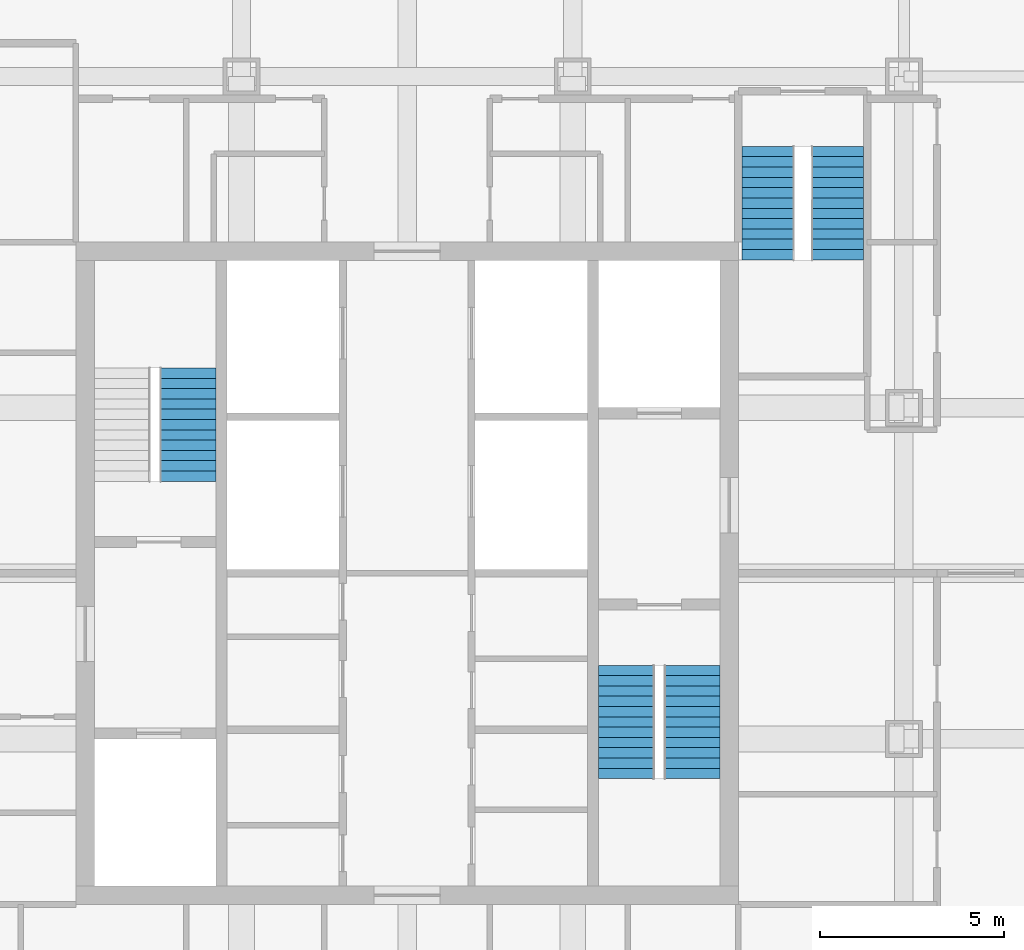
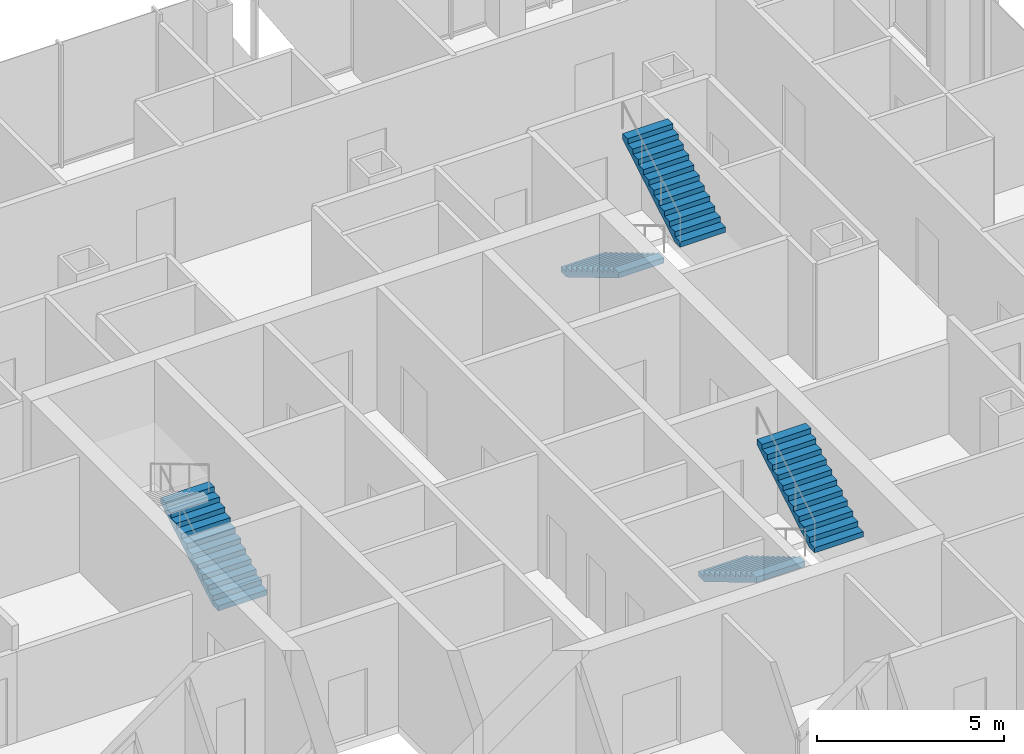
# One storey, part 17 of 20: 5 stair flights, 3 elements without a shape of their own.
"""IFC4 building model written with IfcOpenShell, lengths in metres."""

from ifc_helpers import new_model, si_unit, direction, frame, origin, place, context, subcontext, project, spatial, polyline, outline, extrude, material, type_object, element, aggregate, save


model = new_model("IFC4")

# Units and contexts
model_context = context("Model", 3, precision=1e-05, world=origin(), true_north=direction((0.0, 1.0)))
body_context = subcontext(model_context, "Body", "Model", "MODEL_VIEW")
ifc_project = project(units=[si_unit("LENGTHUNIT", "METRE"), si_unit("AREAUNIT", "SQUARE_METRE"), si_unit("VOLUMEUNIT", "CUBIC_METRE"), si_unit("PLANEANGLEUNIT", "RADIAN"), si_unit("MASSUNIT", "GRAM", prefix="KILO")], contexts=[model_context])

# Site, building, storey
site_placement = place(None, origin())
site = spatial("IfcSite", under=ifc_project, at=site_placement, CompositionType="ELEMENT")
building_placement = place(site_placement, origin())
building = spatial("IfcBuilding", under=site, at=building_placement, Name="Malebo Sky Hospital", CompositionType="ELEMENT")
storey_placement = place(building_placement, frame((0.0, 0.0, 233.0)))
storey = spatial("IfcBuildingStorey", under=building, at=storey_placement, Name="L56", CompositionType="ELEMENT", Elevation=233.0)

# Stair, stair flights
ifc_material = material(Name="Concrete C40/50", Category="concrete")
stair_type_1 = type_object("IfcStairType", Name="HALF-TURN STAIR 1400 R167", PredefinedType="HALF_TURN_STAIR", material=ifc_material)
stair_1_placement = place(storey_placement, origin())
stair_1 = element("IfcStair", 1, at=stair_1_placement, inside=storey, type_object=stair_type_1, Name="Stair S3 L56 type ST1B", PredefinedType="HALF_TURN_STAIR")
stair_flight_type_1 = type_object("IfcStairFlightType", Name="STAIR FLIGHT 1400 R167", PredefinedType="STRAIGHT", material=ifc_material)
stair_flight_1_placement = place(storey_placement, frame((69.800048828125, 73.60009765625, 0.0), z_axis=(0.0, 0.0, 1.0), x_axis=(0.0, -1.0, 0.0)))
stair_flight_1 = element("IfcStairFlight", 2, at=stair_flight_1_placement, type_object=stair_flight_type_1, Name="S3 flight 1 type SF1B", NumberOfRisers=12, NumberOfTreads=11, PredefinedType="STRAIGHT", RiserHeight=0.166666667, TreadLength=0.28, context=body_context, shape_type="SweptSolid", body=[
    extrude(outline(polyline([(0.0, 0.0), (0.0, 0.166748046875), (0.280029296875, 0.166748046875), (0.280029296875, 0.333251953125), (0.56005859375, 0.333251953125), (0.56005859375, 0.5), (0.840087890625, 0.5), (0.840087890625, 0.666748046875), (1.1201171875, 0.666748046875), (1.1201171875, 0.833251953125), (1.39990234375, 0.833251953125), (1.39990234375, 1.0), (1.679931640625, 1.0), (1.679931640625, 1.166748046875), (1.9599609375, 1.166748046875), (1.9599609375, 1.333251953125), (2.239990234375, 1.333251953125), (2.239990234375, 1.5), (2.52001953125, 1.5), (2.52001953125, 1.666748046875), (2.800048828125, 1.666748046875), (2.800048828125, 1.833251953125), (3.080078125, 1.833251953125), (3.080078125, 2.0), (3.080078125, 1.658935546875), (0.29296875, 0.0), (0.0, 0.0)])), frame((0.0, 0.699951171875, 0.0), z_axis=(0.0, -1.0, 0.0), x_axis=(1.0, 0.0, 0.0)), (0.0, 0.0, 1.0), 1.39990234375),
])
stair_flight_2_placement = place(storey_placement, frame((71.699951171875, 70.52001953125, 2.0), z_axis=(0.0, 0.0, 1.0), x_axis=(0.0, 1.0, 0.0)))
stair_flight_2 = element("IfcStairFlight", 3, at=stair_flight_2_placement, type_object=stair_flight_type_1, Name="S3 flight 2 type SF1B", NumberOfRisers=12, NumberOfTreads=11, PredefinedType="STRAIGHT", RiserHeight=0.166666667, TreadLength=0.28, context=body_context, shape_type="SweptSolid", body=[
    extrude(outline(polyline([(0.0, 0.0), (0.0, 0.166748046875), (0.280029296875, 0.166748046875), (0.280029296875, 0.333251953125), (0.56005859375, 0.333251953125), (0.56005859375, 0.5), (0.840087890625, 0.5), (0.840087890625, 0.666748046875), (1.1201171875, 0.666748046875), (1.1201171875, 0.833251953125), (1.39990234375, 0.833251953125), (1.39990234375, 1.0), (1.679931640625, 1.0), (1.679931640625, 1.166748046875), (1.9599609375, 1.166748046875), (1.9599609375, 1.333251953125), (2.239990234375, 1.333251953125), (2.239990234375, 1.5), (2.52001953125, 1.5), (2.52001953125, 1.666748046875), (2.800048828125, 1.666748046875), (2.800048828125, 1.833251953125), (3.080078125, 1.833251953125), (3.080078125, 2.0), (3.080078125, 1.658935546875), (0.29296875, 0.0), (0.0, 0.0)])), frame((0.0, 0.699951171875, 0.0), z_axis=(0.0, -1.0, 0.0), x_axis=(1.0, 0.0, 0.0)), (0.0, 0.0, 1.0), 1.39990234375),
])
aggregate(stair_1, [stair_flight_1, stair_flight_2])

# Stair, stair flight
stair_type_2 = type_object("IfcStairType", Name="HALF-TURN STAIR 1500 R167", PredefinedType="HALF_TURN_STAIR", material=ifc_material)
stair_2_placement = place(storey_placement, origin())
stair_2 = element("IfcStair", 4, at=stair_2_placement, inside=storey, type_object=stair_type_2, Name="Stair S1 L56 type ST1", PredefinedType="HALF_TURN_STAIR")
stair_flight_type_2 = type_object("IfcStairFlightType", Name="STAIR FLIGHT 1500 R167", PredefinedType="STRAIGHT", material=ifc_material)
stair_flight_3_placement = place(storey_placement, frame((54.050048828125, 64.5, 0.0), z_axis=(0.0, 0.0, 1.0), x_axis=(0.0, 1.0, 0.0)))
stair_flight_3 = element("IfcStairFlight", 5, at=stair_flight_3_placement, type_object=stair_flight_type_2, Name="S1 flight 1 type SF1", NumberOfRisers=12, NumberOfTreads=11, PredefinedType="STRAIGHT", RiserHeight=0.166666667, TreadLength=0.28, context=body_context, shape_type="SweptSolid", body=[
    extrude(outline(polyline([(0.0, 0.0), (0.0, 0.166748046875), (0.280029296875, 0.166748046875), (0.280029296875, 0.333251953125), (0.56005859375, 0.333251953125), (0.56005859375, 0.5), (0.840087890625, 0.5), (0.840087890625, 0.666748046875), (1.1201171875, 0.666748046875), (1.1201171875, 0.833251953125), (1.39990234375, 0.833251953125), (1.39990234375, 1.0), (1.679931640625, 1.0), (1.679931640625, 1.166748046875), (1.9599609375, 1.166748046875), (1.9599609375, 1.333251953125), (2.239990234375, 1.333251953125), (2.239990234375, 1.5), (2.52001953125, 1.5), (2.52001953125, 1.666748046875), (2.800048828125, 1.666748046875), (2.800048828125, 1.833251953125), (3.080078125, 1.833251953125), (3.080078125, 2.0), (3.080078125, 1.658935546875), (0.29296875, 0.0), (0.0, 0.0)])), frame((0.0, 0.75, 0.0), z_axis=(0.0, -1.0, 0.0), x_axis=(1.0, 0.0, 0.0)), (0.0, 0.0, 1.0), 1.5),
])
aggregate(stair_2, [stair_flight_3])

# Stair, stair flights
stair_3_placement = place(storey_placement, origin())
stair_3 = element("IfcStair", 6, at=stair_3_placement, inside=storey, type_object=stair_type_2, Name="Stair S2 L56 type ST1", PredefinedType="HALF_TURN_STAIR")
stair_flight_4_placement = place(storey_placement, frame((65.949951171875, 59.5, 0.0), z_axis=(0.0, 0.0, 1.0), x_axis=(0.0, -1.0, 0.0)))
stair_flight_4 = element("IfcStairFlight", 7, at=stair_flight_4_placement, type_object=stair_flight_type_2, Name="S2 flight 1 type SF1", NumberOfRisers=12, NumberOfTreads=11, PredefinedType="STRAIGHT", RiserHeight=0.166666667, TreadLength=0.28, context=body_context, shape_type="SweptSolid", body=[
    extrude(outline(polyline([(0.0, 0.0), (0.0, 0.166748046875), (0.280029296875, 0.166748046875), (0.280029296875, 0.333251953125), (0.56005859375, 0.333251953125), (0.56005859375, 0.5), (0.840087890625, 0.5), (0.840087890625, 0.666748046875), (1.1201171875, 0.666748046875), (1.1201171875, 0.833251953125), (1.39990234375, 0.833251953125), (1.39990234375, 1.0), (1.679931640625, 1.0), (1.679931640625, 1.166748046875), (1.9599609375, 1.166748046875), (1.9599609375, 1.333251953125), (2.239990234375, 1.333251953125), (2.239990234375, 1.5), (2.52001953125, 1.5), (2.52001953125, 1.666748046875), (2.800048828125, 1.666748046875), (2.800048828125, 1.833251953125), (3.080078125, 1.833251953125), (3.080078125, 2.0), (3.080078125, 1.658935546875), (0.29296875, 0.0), (0.0, 0.0)])), frame((0.0, 0.75, 0.0), z_axis=(0.0, -1.0, 0.0), x_axis=(1.0, 0.0, 0.0)), (0.0, 0.0, 1.0), 1.5),
])
stair_flight_5_placement = place(storey_placement, frame((67.75, 56.419921875, 2.0), z_axis=(0.0, 0.0, 1.0), x_axis=(0.0, 1.0, 0.0)))
stair_flight_5 = element("IfcStairFlight", 8, at=stair_flight_5_placement, type_object=stair_flight_type_2, Name="S2 flight 2 type SF1", NumberOfRisers=12, NumberOfTreads=11, PredefinedType="STRAIGHT", RiserHeight=0.166666667, TreadLength=0.28, context=body_context, shape_type="SweptSolid", body=[
    extrude(outline(polyline([(0.0, 0.0), (0.0, 0.166748046875), (0.280029296875, 0.166748046875), (0.280029296875, 0.333251953125), (0.56005859375, 0.333251953125), (0.56005859375, 0.5), (0.840087890625, 0.5), (0.840087890625, 0.666748046875), (1.1201171875, 0.666748046875), (1.1201171875, 0.833251953125), (1.39990234375, 0.833251953125), (1.39990234375, 1.0), (1.679931640625, 1.0), (1.679931640625, 1.166748046875), (1.9599609375, 1.166748046875), (1.9599609375, 1.333251953125), (2.239990234375, 1.333251953125), (2.239990234375, 1.5), (2.52001953125, 1.5), (2.52001953125, 1.666748046875), (2.800048828125, 1.666748046875), (2.800048828125, 1.833251953125), (3.080078125, 1.833251953125), (3.080078125, 2.0), (3.080078125, 1.658935546875), (0.29296875, 0.0), (0.0, 0.0)])), frame((0.0, 0.75, 0.0), z_axis=(0.0, -1.0, 0.0), x_axis=(1.0, 0.0, 0.0)), (0.0, 0.0, 1.0), 1.5),
])
aggregate(stair_3, [stair_flight_4, stair_flight_5])

save(model, "model.ifc")
